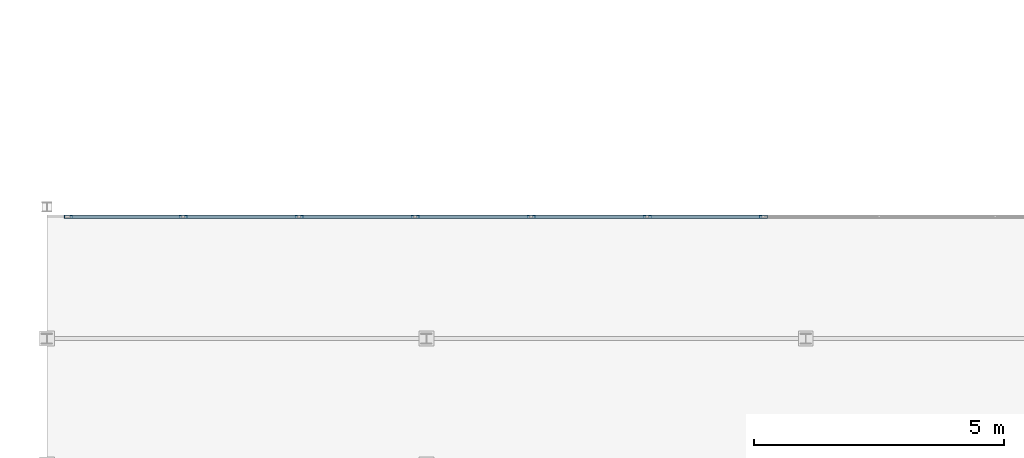
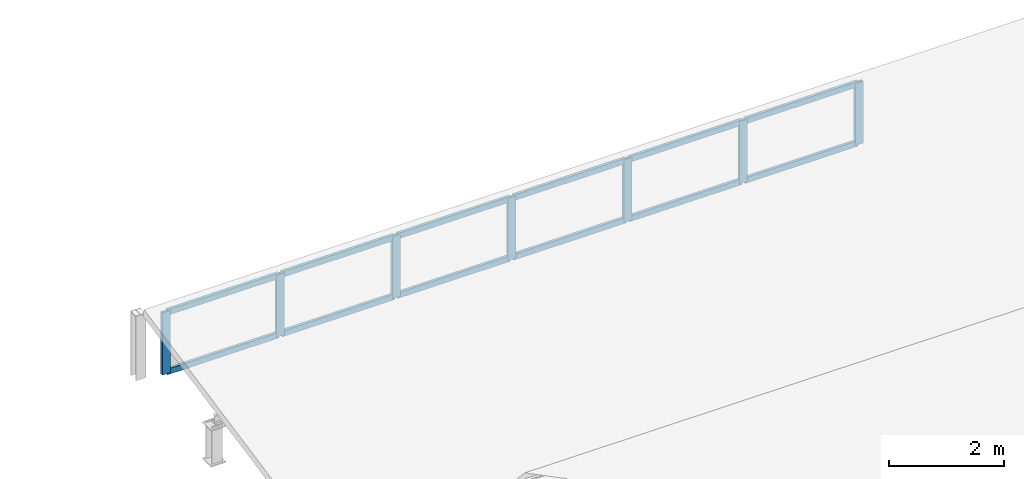
# One storey, part 21 of 114: 19 members, 1 element without a shape of its own.
"""IFC4 building model written with IfcOpenShell, lengths in metres."""

from ifc_helpers import new_model, si_unit, direction, frame, origin, origin_2d, place, context, subcontext, project, spatial, hollow_rectangle, extrude, material, layer, layer_set, material_profile, profile_set, type_object, element, aggregate, save


model = new_model("IFC4")

# Units and contexts
model_context = context("Model", 3, precision=1e-05, world=origin(), true_north=direction((0.0, 1.0)))
body_context = subcontext(model_context, "Body", "Model", "MODEL_VIEW")
ifc_project = project(units=[si_unit("LENGTHUNIT", "METRE"), si_unit("AREAUNIT", "SQUARE_METRE"), si_unit("VOLUMEUNIT", "CUBIC_METRE"), si_unit("PLANEANGLEUNIT", "RADIAN"), si_unit("MASSUNIT", "GRAM", prefix="KILO")], contexts=[model_context])

# Site, building, storey
site_placement = place(None, origin())
site = spatial("IfcSite", under=ifc_project, at=site_placement, CompositionType="ELEMENT")
building_placement = place(site_placement, origin())
building = spatial("IfcBuilding", under=site, at=building_placement, Name="Montecoro Central Library", CompositionType="ELEMENT")
storey_placement = place(building_placement, frame((0.0, 0.0, 13.260009765625)))
storey = spatial("IfcBuildingStorey", under=building, at=storey_placement, Name="L03", CompositionType="ELEMENT", Elevation=13.260009765625)

# Curtain wall, members
ifc_material_1 = material(Name="Bronze-anodised aluminium and low-E glazing", Category="aluminium")
ifc_layer = layer(ifc_material_1, 0.159912109375)
ifc_layer_set = layer_set([ifc_layer], Name="Bronze-anodised aluminium and low-E glazing")
curtain_wall_type = type_object("IfcCurtainWallType", Name="CWT-037", PredefinedType="NOTDEFINED", material=ifc_layer_set)
curtain_wall_placement = place(storey_placement, origin())
curtain_wall = element("IfcCurtainWall", 1, at=curtain_wall_placement, inside=storey, type_object=curtain_wall_type, Name="V3-ROOF-SAWCW-2", PredefinedType="NOTDEFINED")
ifc_material_2 = material(Name="Bronze-anodised aluminium", Category="aluminium")
ifc_material_profile_1 = material_profile(ifc_material_2, hollow_rectangle(XDim=0.06005859375, YDim=0.159912109375, WallThickness=0.00390625, at=origin_2d()), Name="CWM 160x60x4.0")
ifc_profile_set_1 = profile_set([ifc_material_profile_1], Name="Bronze-anodised aluminium")
member_type_1 = type_object("IfcMemberType", Name="CWM-BRZ-60", PredefinedType="MULLION", material=ifc_profile_set_1)
member_1_placement = place(storey_placement, frame((5.429931640625, 35.199951171875, 0.0), z_axis=(0.0, 0.0, 1.0), x_axis=(0.0, 1.0, 0.0)))
member_1 = element("IfcMember", 2, at=member_1_placement, type_object=member_type_1, Name="CW-037 mullion 1", PredefinedType="MULLION", context=body_context, shape_type="SweptSolid", body=[
    extrude(hollow_rectangle(XDim=0.06005859375, YDim=0.159912109375, WallThickness=0.00390625, at=origin_2d()), origin(), (0.0, 0.0, 1.0), 1.320068359375),
])
member_2_placement = place(storey_placement, frame((7.72509765625, 35.199951171875, 0.0), z_axis=(0.0, 0.0, 1.0), x_axis=(0.0, 1.0, 0.0)))
member_2 = element("IfcMember", 3, at=member_2_placement, type_object=member_type_1, Name="CW-037 mullion 2", PredefinedType="MULLION", context=body_context, shape_type="SweptSolid", body=[
    extrude(hollow_rectangle(XDim=0.06005859375, YDim=0.159912109375, WallThickness=0.00390625, at=origin_2d()), origin(), (0.0, 0.0, 1.0), 1.320068359375),
])
member_3_placement = place(storey_placement, frame((10.050048828125, 35.199951171875, 0.0), z_axis=(0.0, 0.0, 1.0), x_axis=(0.0, 1.0, 0.0)))
member_3 = element("IfcMember", 4, at=member_3_placement, type_object=member_type_1, Name="CW-037 mullion 3", PredefinedType="MULLION", context=body_context, shape_type="SweptSolid", body=[
    extrude(hollow_rectangle(XDim=0.06005859375, YDim=0.159912109375, WallThickness=0.00390625, at=origin_2d()), origin(), (0.0, 0.0, 1.0), 1.320068359375),
])
member_4_placement = place(storey_placement, frame((12.375, 35.199951171875, 0.0), z_axis=(0.0, 0.0, 1.0), x_axis=(0.0, 1.0, 0.0)))
member_4 = element("IfcMember", 5, at=member_4_placement, type_object=member_type_1, Name="CW-037 mullion 4", PredefinedType="MULLION", context=body_context, shape_type="SweptSolid", body=[
    extrude(hollow_rectangle(XDim=0.06005859375, YDim=0.159912109375, WallThickness=0.00390625, at=origin_2d()), origin(), (0.0, 0.0, 1.0), 1.320068359375),
])
member_5_placement = place(storey_placement, frame((14.699951171875, 35.199951171875, 0.0), z_axis=(0.0, 0.0, 1.0), x_axis=(0.0, 1.0, 0.0)))
member_5 = element("IfcMember", 6, at=member_5_placement, type_object=member_type_1, Name="CW-037 mullion 5", PredefinedType="MULLION", context=body_context, shape_type="SweptSolid", body=[
    extrude(hollow_rectangle(XDim=0.06005859375, YDim=0.159912109375, WallThickness=0.00390625, at=origin_2d()), origin(), (0.0, 0.0, 1.0), 1.320068359375),
])
member_6_placement = place(storey_placement, frame((17.02490234375, 35.199951171875, 0.0), z_axis=(0.0, 0.0, 1.0), x_axis=(0.0, 1.0, 0.0)))
member_6 = element("IfcMember", 7, at=member_6_placement, type_object=member_type_1, Name="CW-037 mullion 6", PredefinedType="MULLION", context=body_context, shape_type="SweptSolid", body=[
    extrude(hollow_rectangle(XDim=0.06005859375, YDim=0.159912109375, WallThickness=0.00390625, at=origin_2d()), origin(), (0.0, 0.0, 1.0), 1.320068359375),
])
member_7_placement = place(storey_placement, frame((19.35009765625, 35.199951171875, 0.0), z_axis=(0.0, 0.0, 1.0), x_axis=(0.0, 1.0, 0.0)))
member_7 = element("IfcMember", 8, at=member_7_placement, type_object=member_type_1, Name="CW-037 mullion 7", PredefinedType="MULLION", context=body_context, shape_type="SweptSolid", body=[
    extrude(hollow_rectangle(XDim=0.06005859375, YDim=0.159912109375, WallThickness=0.00390625, at=origin_2d()), origin(), (0.0, 0.0, 1.0), 1.320068359375),
])
ifc_material_profile_2 = material_profile(ifc_material_2, hollow_rectangle(XDim=0.06005859375, YDim=0.1201171875, WallThickness=0.00390625, at=origin_2d()), Name="CWT 120x60x4.0")
ifc_profile_set_2 = profile_set([ifc_material_profile_2], Name="Bronze-anodised aluminium")
member_type_2 = type_object("IfcMemberType", Name="CWT-BRZ-60", PredefinedType="USERDEFINED", material=ifc_profile_set_2)
member_8_placement = place(storey_placement, frame((5.4599609375, 35.199951171875, 0.030029296875), z_axis=(1.0, 0.0, 0.0), x_axis=(0.0, 1.0, 0.0)))
member_8 = element("IfcMember", 9, at=member_8_placement, type_object=member_type_2, Name="CW-037 transom 1.1", ObjectType="TRANSOM", PredefinedType="USERDEFINED", context=body_context, shape_type="SweptSolid", body=[
    extrude(hollow_rectangle(XDim=0.06005859375, YDim=0.1201171875, WallThickness=0.00390625, at=origin_2d()), origin(), (0.0, 0.0, 1.0), 2.235107421875),
])
member_9_placement = place(storey_placement, frame((5.4599609375, 35.199951171875, 1.2900390625), z_axis=(1.0, 0.0, 0.0), x_axis=(0.0, 1.0, 0.0)))
member_9 = element("IfcMember", 10, at=member_9_placement, type_object=member_type_2, Name="CW-037 transom 1.2", ObjectType="TRANSOM", PredefinedType="USERDEFINED", context=body_context, shape_type="SweptSolid", body=[
    extrude(hollow_rectangle(XDim=0.06005859375, YDim=0.1201171875, WallThickness=0.00390625, at=origin_2d()), origin(), (0.0, 0.0, 1.0), 2.235107421875),
])
member_10_placement = place(storey_placement, frame((7.7548828125, 35.199951171875, 0.030029296875), z_axis=(1.0, 0.0, 0.0), x_axis=(0.0, 1.0, 0.0)))
member_10 = element("IfcMember", 11, at=member_10_placement, type_object=member_type_2, Name="CW-037 transom 2.1", ObjectType="TRANSOM", PredefinedType="USERDEFINED", context=body_context, shape_type="SweptSolid", body=[
    extrude(hollow_rectangle(XDim=0.06005859375, YDim=0.1201171875, WallThickness=0.00390625, at=origin_2d()), origin(), (0.0, 0.0, 1.0), 2.26513671875),
])
member_11_placement = place(storey_placement, frame((7.7548828125, 35.199951171875, 1.2900390625), z_axis=(1.0, 0.0, 0.0), x_axis=(0.0, 1.0, 0.0)))
member_11 = element("IfcMember", 12, at=member_11_placement, type_object=member_type_2, Name="CW-037 transom 2.2", ObjectType="TRANSOM", PredefinedType="USERDEFINED", context=body_context, shape_type="SweptSolid", body=[
    extrude(hollow_rectangle(XDim=0.06005859375, YDim=0.1201171875, WallThickness=0.00390625, at=origin_2d()), origin(), (0.0, 0.0, 1.0), 2.26513671875),
])
member_12_placement = place(storey_placement, frame((10.080078125, 35.199951171875, 0.030029296875), z_axis=(1.0, 0.0, 0.0), x_axis=(0.0, 1.0, 0.0)))
member_12 = element("IfcMember", 13, at=member_12_placement, type_object=member_type_2, Name="CW-037 transom 3.1", ObjectType="TRANSOM", PredefinedType="USERDEFINED", context=body_context, shape_type="SweptSolid", body=[
    extrude(hollow_rectangle(XDim=0.06005859375, YDim=0.1201171875, WallThickness=0.00390625, at=origin_2d()), origin(), (0.0, 0.0, 1.0), 2.264892578125),
])
member_13_placement = place(storey_placement, frame((10.080078125, 35.199951171875, 1.2900390625), z_axis=(1.0, 0.0, 0.0), x_axis=(0.0, 1.0, 0.0)))
member_13 = element("IfcMember", 14, at=member_13_placement, type_object=member_type_2, Name="CW-037 transom 3.2", ObjectType="TRANSOM", PredefinedType="USERDEFINED", context=body_context, shape_type="SweptSolid", body=[
    extrude(hollow_rectangle(XDim=0.06005859375, YDim=0.1201171875, WallThickness=0.00390625, at=origin_2d()), origin(), (0.0, 0.0, 1.0), 2.264892578125),
])
member_14_placement = place(storey_placement, frame((12.405029296875, 35.199951171875, 0.030029296875), z_axis=(1.0, 0.0, 0.0), x_axis=(0.0, 1.0, 0.0)))
member_14 = element("IfcMember", 15, at=member_14_placement, type_object=member_type_2, Name="CW-037 transom 4.1", ObjectType="TRANSOM", PredefinedType="USERDEFINED", context=body_context, shape_type="SweptSolid", body=[
    extrude(hollow_rectangle(XDim=0.06005859375, YDim=0.1201171875, WallThickness=0.00390625, at=origin_2d()), origin(), (0.0, 0.0, 1.0), 2.264892578125),
])
member_15_placement = place(storey_placement, frame((12.405029296875, 35.199951171875, 1.2900390625), z_axis=(1.0, 0.0, 0.0), x_axis=(0.0, 1.0, 0.0)))
member_15 = element("IfcMember", 16, at=member_15_placement, type_object=member_type_2, Name="CW-037 transom 4.2", ObjectType="TRANSOM", PredefinedType="USERDEFINED", context=body_context, shape_type="SweptSolid", body=[
    extrude(hollow_rectangle(XDim=0.06005859375, YDim=0.1201171875, WallThickness=0.00390625, at=origin_2d()), origin(), (0.0, 0.0, 1.0), 2.264892578125),
])
member_16_placement = place(storey_placement, frame((14.72998046875, 35.199951171875, 0.030029296875), z_axis=(1.0, 0.0, 0.0), x_axis=(0.0, 1.0, 0.0)))
member_16 = element("IfcMember", 17, at=member_16_placement, type_object=member_type_2, Name="CW-037 transom 5.1", ObjectType="TRANSOM", PredefinedType="USERDEFINED", context=body_context, shape_type="SweptSolid", body=[
    extrude(hollow_rectangle(XDim=0.06005859375, YDim=0.1201171875, WallThickness=0.00390625, at=origin_2d()), origin(), (0.0, 0.0, 1.0), 2.26513671875),
])
member_17_placement = place(storey_placement, frame((14.72998046875, 35.199951171875, 1.2900390625), z_axis=(1.0, 0.0, 0.0), x_axis=(0.0, 1.0, 0.0)))
member_17 = element("IfcMember", 18, at=member_17_placement, type_object=member_type_2, Name="CW-037 transom 5.2", ObjectType="TRANSOM", PredefinedType="USERDEFINED", context=body_context, shape_type="SweptSolid", body=[
    extrude(hollow_rectangle(XDim=0.06005859375, YDim=0.1201171875, WallThickness=0.00390625, at=origin_2d()), origin(), (0.0, 0.0, 1.0), 2.26513671875),
])
member_18_placement = place(storey_placement, frame((17.054931640625, 35.199951171875, 0.030029296875), z_axis=(1.0, 0.0, 0.0), x_axis=(0.0, 1.0, 0.0)))
member_18 = element("IfcMember", 19, at=member_18_placement, type_object=member_type_2, Name="CW-037 transom 6.1", ObjectType="TRANSOM", PredefinedType="USERDEFINED", context=body_context, shape_type="SweptSolid", body=[
    extrude(hollow_rectangle(XDim=0.06005859375, YDim=0.1201171875, WallThickness=0.00390625, at=origin_2d()), origin(), (0.0, 0.0, 1.0), 2.26513671875),
])
member_19_placement = place(storey_placement, frame((17.054931640625, 35.199951171875, 1.2900390625), z_axis=(1.0, 0.0, 0.0), x_axis=(0.0, 1.0, 0.0)))
member_19 = element("IfcMember", 20, at=member_19_placement, type_object=member_type_2, Name="CW-037 transom 6.2", ObjectType="TRANSOM", PredefinedType="USERDEFINED", context=body_context, shape_type="SweptSolid", body=[
    extrude(hollow_rectangle(XDim=0.06005859375, YDim=0.1201171875, WallThickness=0.00390625, at=origin_2d()), origin(), (0.0, 0.0, 1.0), 2.26513671875),
])
aggregate(curtain_wall, [member_1, member_2, member_3, member_4, member_5, member_6, member_7, member_8, member_9, member_10, member_11, member_12, member_13, member_14, member_15, member_16, member_17, member_18, member_19])

save(model, "model.ifc")
